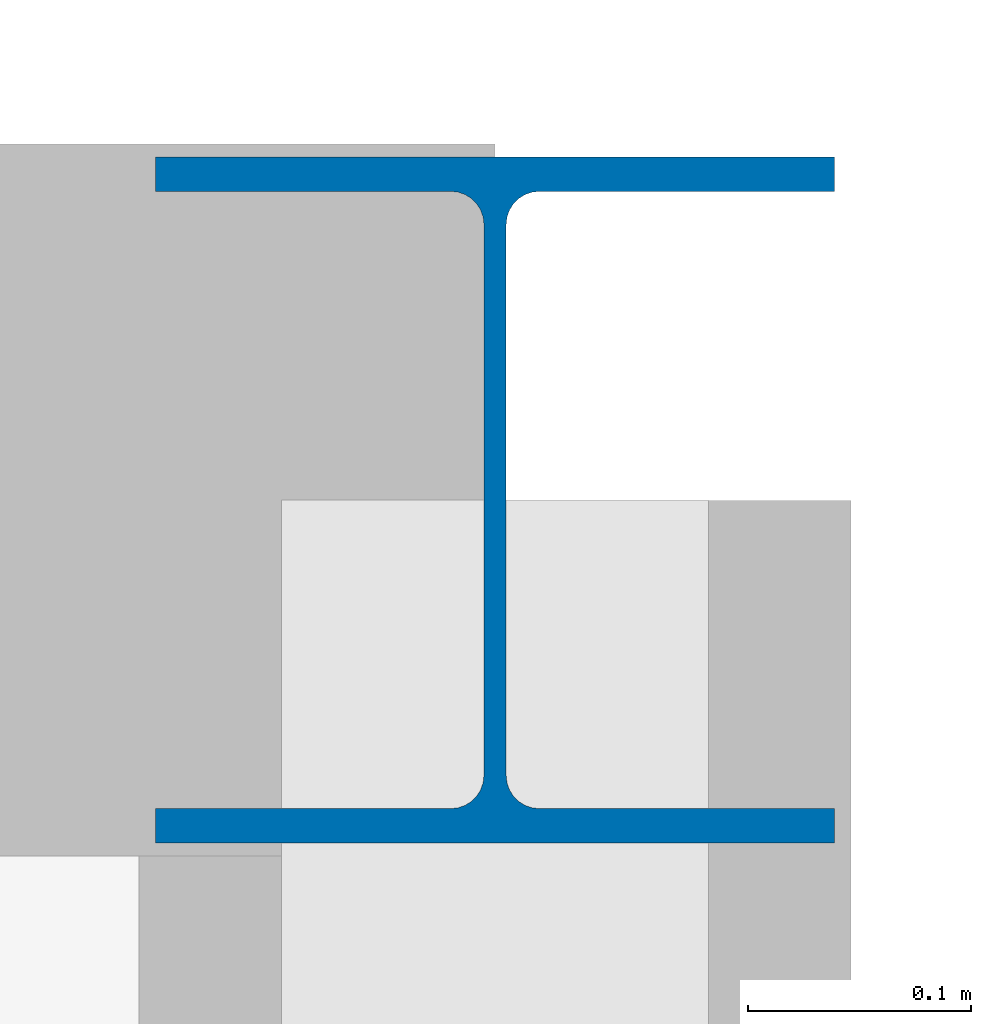
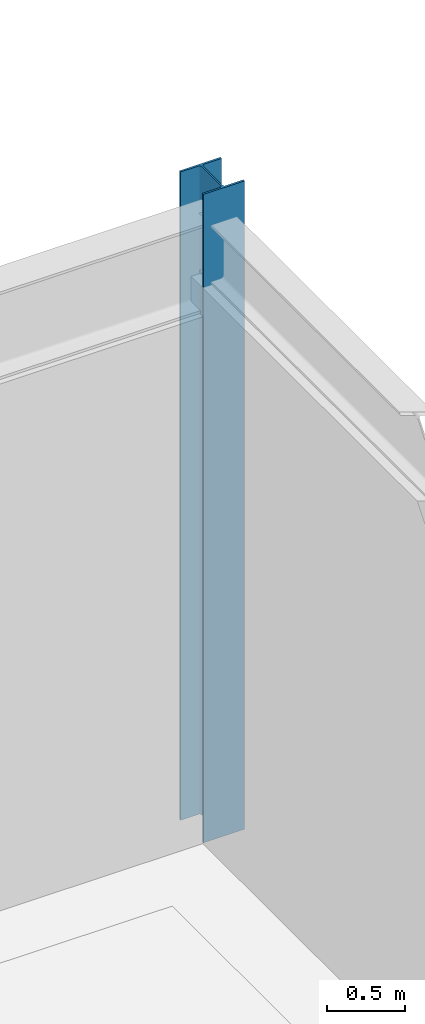
# One storey, part 14 of 107: 1 column.
"""IFC4 building model written with IfcOpenShell, lengths in metres."""

from ifc_helpers import new_model, si_unit, direction, frame, origin, origin_2d, place, context, subcontext, project, spatial, i_section, extrude, material, material_profile, profile_set, type_object, element, save


model = new_model("IFC4")

# Units and contexts
model_context = context("Model", 3, precision=1e-05, world=origin(), true_north=direction((0.0, 1.0)))
body_context = subcontext(model_context, "Body", "Model", "MODEL_VIEW")
ifc_project = project(units=[si_unit("LENGTHUNIT", "METRE"), si_unit("AREAUNIT", "SQUARE_METRE"), si_unit("VOLUMEUNIT", "CUBIC_METRE"), si_unit("PLANEANGLEUNIT", "RADIAN"), si_unit("MASSUNIT", "GRAM", prefix="KILO")], contexts=[model_context])

# Site, building, storey
site_placement = place(None, origin())
site = spatial("IfcSite", under=ifc_project, at=site_placement, CompositionType="ELEMENT")
building_placement = place(site_placement, origin())
building = spatial("IfcBuilding", under=site, at=building_placement, Name="Tarnveldt Square Police Headquarters", CompositionType="ELEMENT")
storey_placement = place(building_placement, frame((0.0, 0.0, 14.699951171875)))
storey = spatial("IfcBuildingStorey", under=building, at=storey_placement, Name="L03", CompositionType="ELEMENT", Elevation=14.699951171875)

# Column
ifc_material = material(Name="Steel 350W", Category="steel")
ifc_material_profile = material_profile(ifc_material, i_section(OverallWidth=0.304931640625, OverallDepth=0.30810546875, WebThickness=0.010009765625, FlangeThickness=0.015380859375, FilletRadius=0.014892578125, at=origin_2d()), Name="W310x97")
ifc_profile_set = profile_set([ifc_material_profile], Name="Steel 350W")
column_type = type_object("IfcColumnType", Name="COL-W310x97", PredefinedType="COLUMN", material=ifc_profile_set)
column_placement = place(storey_placement, frame((129.60009765625, 96.0, 0.0), z_axis=(0.0, 0.0, 1.0), x_axis=(1.0, 0.0, 0.0)))
element("IfcColumn", 1, at=column_placement, inside=storey, type_object=column_type, Name="L03 Column 177", PredefinedType="COLUMN", context=body_context, shape_type="SweptSolid", body=[
    extrude(i_section(OverallWidth=0.304931640625, OverallDepth=0.30810546875, WebThickness=0.010009765625, FlangeThickness=0.015380859375, FilletRadius=0.014892578125, at=origin_2d()), origin(), (0.0, 0.0, 1.0), 5.10009765625),
])

save(model, "model.ifc")
